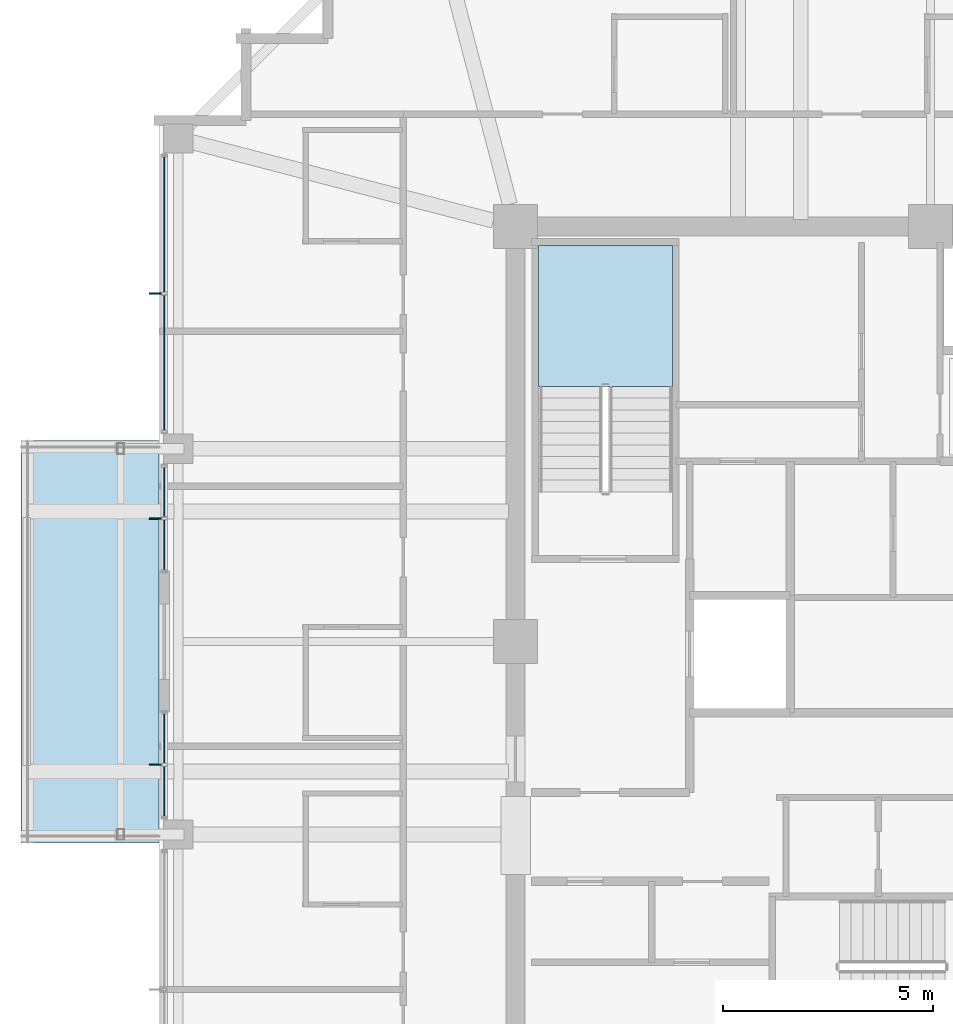
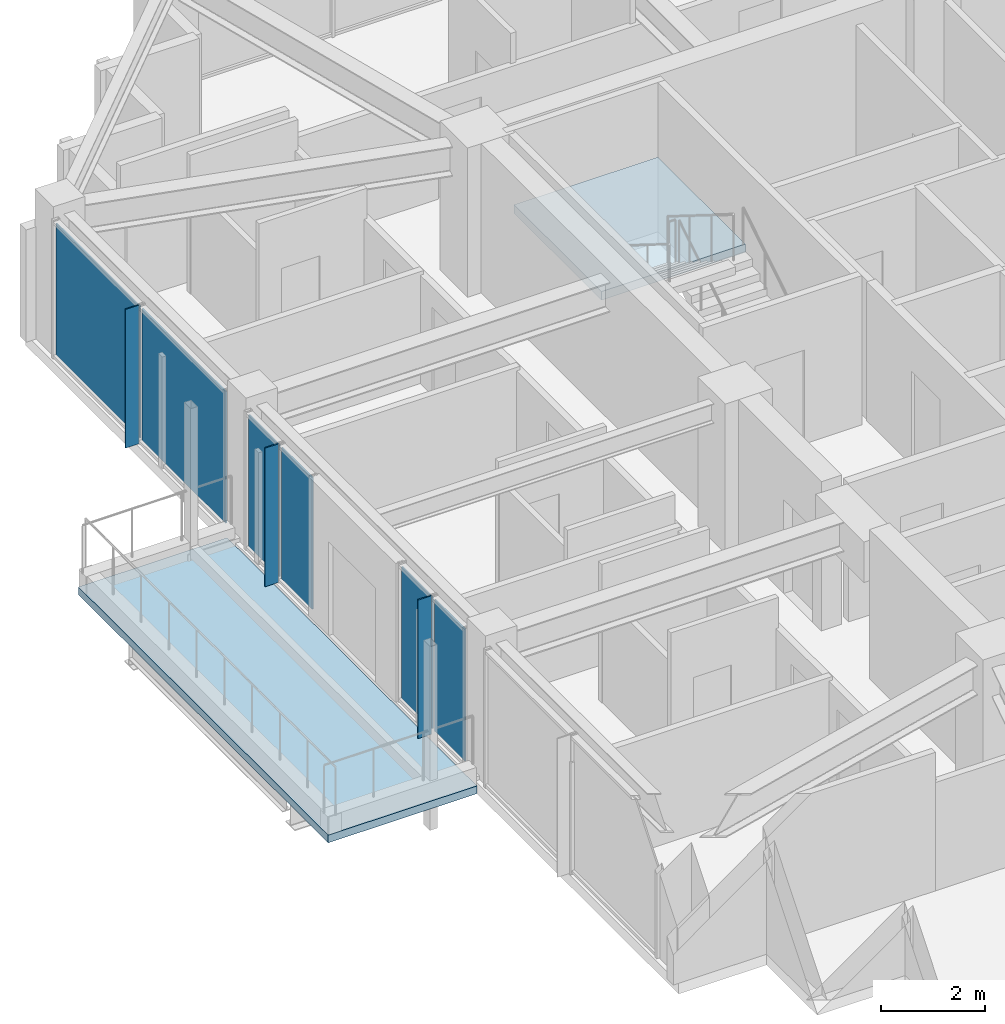
# One storey, part 23 of 34: 9 plates, 2 slabs, 4 elements without a shape of their own.
"""IFC4 building model written with IfcOpenShell, lengths in metres."""

from ifc_helpers import new_model, si_unit, direction, frame, origin, origin_2d, place, context, subcontext, project, spatial, polyline, rectangle, outline, extrude, material, layer, layer_set, type_object, element, aggregate, save


model = new_model("IFC4")

# Units and contexts
model_context = context("Model", 3, precision=1e-05, world=origin(), true_north=direction((0.0, 1.0)))
body_context = subcontext(model_context, "Body", "Model", "MODEL_VIEW")
ifc_project = project(units=[si_unit("LENGTHUNIT", "METRE"), si_unit("AREAUNIT", "SQUARE_METRE"), si_unit("VOLUMEUNIT", "CUBIC_METRE"), si_unit("PLANEANGLEUNIT", "RADIAN"), si_unit("MASSUNIT", "GRAM", prefix="KILO")], contexts=[model_context])

# Site, building, storey
site_placement = place(None, origin())
site = spatial("IfcSite", under=ifc_project, at=site_placement, CompositionType="ELEMENT")
building_placement = place(site_placement, origin())
building = spatial("IfcBuilding", under=site, at=building_placement, Name="Kolvaren Belvedere", CompositionType="ELEMENT")
storey_placement = place(building_placement, frame((0.0, 0.0, 240.89990234375)))
storey = spatial("IfcBuildingStorey", under=building, at=storey_placement, Name="L70", CompositionType="ELEMENT", Elevation=240.89990234375)

# Curtain wall, plates
ifc_material_1 = material(Name="Anodised pale-metal aluminium AA 6063-T6", Category="aluminium")
curtain_wall_type = type_object("IfcCurtainWallType", Name="CW-Z5-HIGH", PredefinedType="NOTDEFINED", material=ifc_material_1)
curtain_wall_1_placement = place(storey_placement, origin())
curtain_wall_1 = element("IfcCurtainWall", 1, at=curtain_wall_1_placement, inside=storey, type_object=curtain_wall_type, Name="L70 Unitised Curtain Wall FCW-L70-W1-B2", PredefinedType="NOTDEFINED")
ifc_material_2 = material(Name="Low-iron triple insulated glass", Category="glass")
ifc_layer_1 = layer(ifc_material_2, 0.028076171875)
ifc_layer_set_1 = layer_set([ifc_layer_1], Name="Low-iron triple insulated glass")
plate_type_1 = type_object("IfcPlateType", Name="CW-PNL-VIS28", PredefinedType="CURTAIN_PANEL", material=ifc_layer_set_1)
plate_1_placement = place(storey_placement, frame((-18.280029296875, -3.56640625, 0.080078125), z_axis=(0.0, 0.0, 1.0), x_axis=(0.0, 1.0, 0.0)))
plate_1 = element("IfcPlate", 2, at=plate_1_placement, type_object=plate_type_1, Name="FCW-L70-W1-B2 Vision Glazing Panel 1", PredefinedType="CURTAIN_PANEL", context=body_context, shape_type="SweptSolid", body=[
    extrude(rectangle(XDim=1.177490234375, YDim=0.028076171875, at=origin_2d()), origin(), (0.0, 0.0, 1.0), 3.090087890625),
])
plate_2_placement = place(storey_placement, frame((-18.280029296875, -2.30859375, 0.080078125), z_axis=(0.0, 0.0, 1.0), x_axis=(0.0, 1.0, 0.0)))
plate_2 = element("IfcPlate", 3, at=plate_2_placement, type_object=plate_type_1, Name="FCW-L70-W1-B2 Vision Glazing Panel 2", PredefinedType="CURTAIN_PANEL", context=body_context, shape_type="SweptSolid", body=[
    extrude(rectangle(XDim=1.177490234375, YDim=0.028076171875, at=origin_2d()), origin(), (0.0, 0.0, 1.0), 3.090087890625),
])
aggregate(curtain_wall_1, [plate_1, plate_2])

curtain_wall_2_placement = place(storey_placement, origin())
curtain_wall_2 = element("IfcCurtainWall", 4, at=curtain_wall_2_placement, inside=storey, type_object=curtain_wall_type, Name="L70 Unitised Curtain Wall FCW-L70-W2-B1", PredefinedType="NOTDEFINED")
plate_3_placement = place(storey_placement, frame((-18.280029296875, 2.30859375, 0.080078125), z_axis=(0.0, 0.0, 1.0), x_axis=(0.0, 1.0, 0.0)))
plate_3 = element("IfcPlate", 5, at=plate_3_placement, type_object=plate_type_1, Name="FCW-L70-W2-B1 Vision Glazing Panel 1", PredefinedType="CURTAIN_PANEL", context=body_context, shape_type="SweptSolid", body=[
    extrude(rectangle(XDim=1.177490234375, YDim=0.028076171875, at=origin_2d()), origin(), (0.0, 0.0, 1.0), 3.090087890625),
])
plate_4_placement = place(storey_placement, frame((-18.280029296875, 3.56640625, 0.080078125), z_axis=(0.0, 0.0, 1.0), x_axis=(0.0, 1.0, 0.0)))
plate_4 = element("IfcPlate", 6, at=plate_4_placement, type_object=plate_type_1, Name="FCW-L70-W2-B1 Vision Glazing Panel 2", PredefinedType="CURTAIN_PANEL", context=body_context, shape_type="SweptSolid", body=[
    extrude(rectangle(XDim=1.177490234375, YDim=0.028076171875, at=origin_2d()), origin(), (0.0, 0.0, 1.0), 3.090087890625),
])
aggregate(curtain_wall_2, [plate_3, plate_4])

curtain_wall_3_placement = place(storey_placement, origin())
curtain_wall_3 = element("IfcCurtainWall", 7, at=curtain_wall_3_placement, inside=storey, type_object=curtain_wall_type, Name="L70 Unitised Curtain Wall FCW-L70-W2-B2", PredefinedType="NOTDEFINED")
plate_5_placement = place(storey_placement, frame((-18.280029296875, 6.652587890625, 0.080078125), z_axis=(0.0, 0.0, 1.0), x_axis=(0.0, 1.0, 0.0)))
plate_5 = element("IfcPlate", 8, at=plate_5_placement, type_object=plate_type_1, Name="FCW-L70-W2-B2 Vision Glazing Panel 1", PredefinedType="CURTAIN_PANEL", context=body_context, shape_type="SweptSolid", body=[
    extrude(rectangle(XDim=3.215087890625, YDim=0.028076171875, at=origin_2d()), origin(), (0.0, 0.0, 1.0), 3.090087890625),
])
plate_6_placement = place(storey_placement, frame((-18.280029296875, 9.947509765625, 0.080078125), z_axis=(0.0, 0.0, 1.0), x_axis=(0.0, 1.0, 0.0)))
plate_6 = element("IfcPlate", 9, at=plate_6_placement, type_object=plate_type_1, Name="FCW-L70-W2-B2 Vision Glazing Panel 2", PredefinedType="CURTAIN_PANEL", context=body_context, shape_type="SweptSolid", body=[
    extrude(rectangle(XDim=3.215087890625, YDim=0.028076171875, at=origin_2d()), origin(), (0.0, 0.0, 1.0), 3.090087890625),
])
aggregate(curtain_wall_3, [plate_5, plate_6])

# Plates
ifc_material_3 = material(Name="Anodised pale-metal aluminium AA 6063-T6", Category="aluminium")
ifc_layer_2 = layer(ifc_material_3, 0.030029296875)
ifc_layer_set_2 = layer_set([ifc_layer_2], Name="Anodised pale-metal aluminium AA 6063-T6")
plate_type_2 = type_object("IfcPlateType", Name="FIN-VERT-300", PredefinedType="USERDEFINED", material=ifc_layer_set_2)
for number, where, z_axis, x_axis, name in (
    (10, (-18.489990234375, -2.9375, 0.0), (0.0, 0.0, 1.0), (1.0, 0.0, 0.0), "L70 Pale-Metal Vertical Shading Fin FCW-L70-W1-B2-1"),
    (11, (-18.489990234375, 2.9375, 0.0), (0.0, 0.0, 1.0), (1.0, 0.0, 0.0), "L70 Pale-Metal Vertical Shading Fin FCW-L70-W2-B1-1"),
    (12, (-18.489990234375, 8.300048828125, 0.0), (0.0, 0.0, 1.0), (1.0, 0.0, 0.0), "L70 Pale-Metal Vertical Shading Fin FCW-L70-W2-B2-1"),
):
    element("IfcPlate", number, at=place(storey_placement, frame(where, z_axis=z_axis, x_axis=x_axis)), inside=storey, type_object=plate_type_2, Name=name, ObjectType="VERTICAL FIN", PredefinedType="USERDEFINED", context=body_context, shape_type="SweptSolid", body=[
        extrude(rectangle(XDim=0.300048828125, YDim=0.030029296875, at=origin_2d()), origin(), (0.0, 0.0, 1.0), 3.25),
    ])

# Slab
ifc_material_4 = material(Name="Concrete C50/60", Category="concrete")
ifc_layer_3 = layer(ifc_material_4, 0.179931640625)
ifc_layer_set_3 = layer_set([ifc_layer_3], Name="Concrete C50/60")
slab_type_1 = type_object("IfcSlabType", Name="SL-BAL-180", PredefinedType="FLOOR", material=ifc_layer_set_3)
slab_1_placement = place(storey_placement, frame((0.0, 0.0, -0.25)))
element("IfcSlab", 13, at=slab_1_placement, inside=storey, type_object=slab_type_1, Name="L70 Planted Sky Terrace SPIRAL-11-W", PredefinedType="FLOOR", context=body_context, shape_type="SweptSolid", body=[
    extrude(outline(polyline([(-21.699951171875, -4.800048828125), (-18.39990234375, -4.800048828125), (-18.39990234375, 4.800048828125), (-21.699951171875, 4.800048828125), (-21.699951171875, -4.800048828125)])), origin(), (0.0, 0.0, 1.0), 0.18017578125),
])

# Stair, slab
ifc_material_5 = material(Name="Concrete C50/60", Category="concrete")
stair_type = type_object("IfcStairType", Name="ST-CORE-1520", PredefinedType="HALF_TURN_STAIR", material=ifc_material_5)
stair_placement = place(storey_placement, origin())
stair = element("IfcStair", 14, at=stair_placement, inside=storey, type_object=stair_type, Name="L70 Protected Exit Stair ST-1", PredefinedType="HALF_TURN_STAIR")
ifc_material_6 = material(Name="Concrete C50/60", Category="concrete")
ifc_layer_4 = layer(ifc_material_6, 0.260009765625)
ifc_layer_set_4 = layer_set([ifc_layer_4], Name="Concrete C50/60")
slab_type_2 = type_object("IfcSlabType", Name="SL-LAND-260", PredefinedType="LANDING", material=ifc_layer_set_4)
slab_2_placement = place(storey_placement, frame((0.0, 0.0, 1.550048828125)))
slab_2 = element("IfcSlab", 15, at=slab_2_placement, type_object=slab_type_2, Name="ST-1 landing 1", PredefinedType="LANDING", context=body_context, shape_type="SweptSolid", body=[
    extrude(outline(polyline([(-6.159912109375, 6.090087890625), (-6.159912109375, 9.449951171875), (-9.35009765625, 9.449951171875), (-9.35009765625, 6.090087890625), (-6.159912109375, 6.090087890625)])), origin(), (0.0, 0.0, 1.0), 0.199951171875),
])
aggregate(stair, [slab_2])

save(model, "model.ifc")
